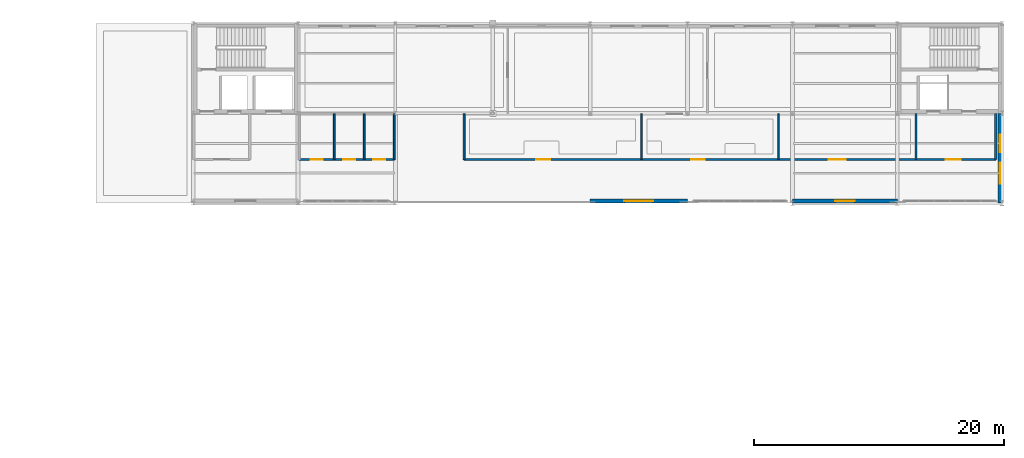
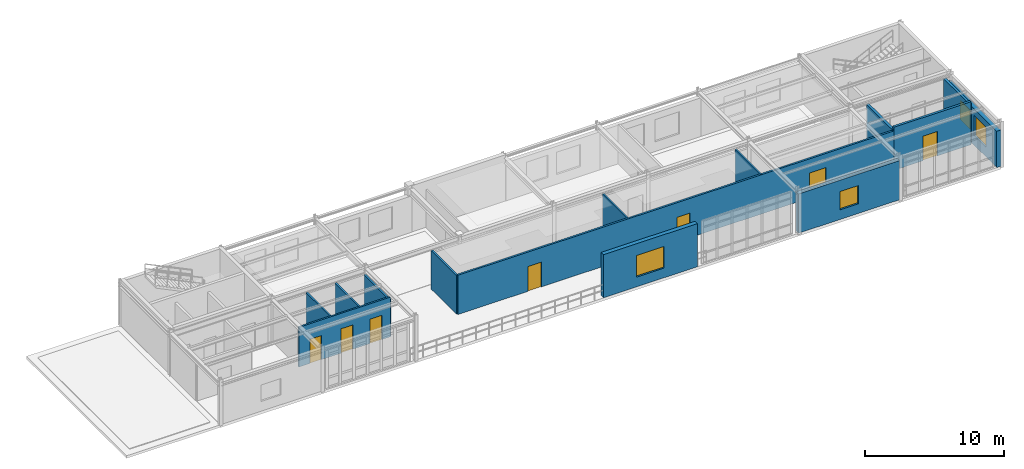
# One storey, part 13 of 20: 14 walls, 7 doors, 4 windows, 11 openings.
"""IFC4 building model written with IfcOpenShell, lengths in metres."""

from ifc_helpers import new_model, si_unit, derived_unit, direction, frame, frame_2d, origin, place, context, subcontext, project, spatial, rectangle, extrude, material, layer, layer_set, type_object, element, fill, save


model = new_model("IFC4")

# Units and contexts
model_context = context("Model", 3, precision=1e-05, world=origin(), true_north=direction((0.0, 1.0)))
body_context = subcontext(model_context, "Body", "Model", "MODEL_VIEW")
ifc_project = project(units=[si_unit("LENGTHUNIT", "METRE"), si_unit("AREAUNIT", "SQUARE_METRE"), si_unit("VOLUMEUNIT", "CUBIC_METRE"), si_unit("PLANEANGLEUNIT", "RADIAN"), si_unit("MASSUNIT", "GRAM", prefix="KILO"), derived_unit("THERMALTRANSMITTANCEUNIT", [(si_unit("POWERUNIT", "WATT"), 1), (si_unit("AREAUNIT", "SQUARE_METRE"), -1), (si_unit("THERMODYNAMICTEMPERATUREUNIT", "KELVIN"), -1)])], contexts=[model_context])

# Site, building, storey
site_placement = place(None, origin())
site = spatial("IfcSite", under=ifc_project, at=site_placement, CompositionType="ELEMENT")
building_placement = place(site_placement, origin())
building = spatial("IfcBuilding", under=site, at=building_placement, Name="Yasenodar Specialist Clinic", CompositionType="ELEMENT")
storey_placement = place(building_placement, frame((0.0, 0.0, 25.35009765625)))
storey = spatial("IfcBuildingStorey", under=building, at=storey_placement, Name="L06", CompositionType="ELEMENT", Elevation=25.35009765625)

# Wall, opening, window
ifc_material_1 = material(Name="Buff Architectural Terracotta Rainscreen", Category="masonry")
ifc_layer_1 = layer(ifc_material_1, 0.340087890625)
ifc_layer_set_1 = layer_set([ifc_layer_1], Name="Buff Architectural Terracotta Rainscreen")
wall_type_1 = type_object("IfcWallType", Name="EW-TERR-340", PredefinedType="SOLIDWALL", material=ifc_layer_set_1)
wall_1_placement = place(storey_placement, frame((113.39990234375, 97.3701171875, 0.0), z_axis=(0.0, 0.0, 1.0), x_axis=(-1.0, 0.0, 0.0)))
wall_1 = element("IfcWall", 1, at=wall_1_placement, inside=storey, type_object=wall_type_1, Name="L06 Exterior Facade Wall 0153", PredefinedType="SOLIDWALL", context=body_context, shape_type="SweptSolid", body=[
    extrude(rectangle(XDim=8.39990234375, YDim=0.340087890625, at=frame_2d((4.199951171875, 0.0))), origin(), (0.0, 0.0, 1.0), 3.447998046875),
])
opening_1_placement = place(wall_1_placement, frame((3.425048828125, 0.0, 0.85009765625)))
opening_1 = element("IfcOpeningElement", 2, at=opening_1_placement, cuts=wall_1, Name="Opening W-16", PredefinedType="OPENING", context=body_context, shape_type="SweptSolid", body=[
    extrude(rectangle(XDim=1.550048828125, YDim=1.60009765625, at=frame_2d((0.77490234375, 0.800048828125))), frame((0.0, 0.18017578125, 0.0), z_axis=(0.0, -1.0, 0.0), x_axis=(1.0, 0.0, 0.0)), (0.0, 0.0, 1.0), 0.360107421875),
])
ifc_material_2 = material(Name="Triple Low-E Argon Glazing in Bronze Aluminium Frame", Category="aluminium")
window_type_1 = type_object("IfcWindowType", Name="WIN-EXT-16", PartitioningType="SINGLE_PANEL", PredefinedType="WINDOW", material=ifc_material_2)
window_1_placement = place(opening_1_placement, origin())
window_1 = element("IfcWindow", 3, at=window_1_placement, inside=storey, type_object=window_type_1, Name="L06 Triple-Glazed Reveal Window 0167", OverallHeight=1.60009765625, OverallWidth=1.550048828125, PartitioningType="SINGLE_PANEL", PredefinedType="WINDOW", context=body_context, shape_type="SweptSolid", body=[
    extrude(rectangle(XDim=1.550048828125, YDim=1.60009765625, at=frame_2d((0.77490234375, 0.800048828125))), frame((0.0, 0.030029296875, 0.0), z_axis=(0.0, -1.0, 0.0), x_axis=(1.0, 0.0, 0.0)), (0.0, 0.0, 1.0), 0.06005859375),
])
fill(opening_1, window_1)

wall_2_placement = place(storey_placement, frame((96.60009765625, 97.3701171875, 0.0), z_axis=(0.0, 0.0, 1.0), x_axis=(-1.0, 0.0, 0.0)))
wall_2 = element("IfcWall", 4, at=wall_2_placement, inside=storey, type_object=wall_type_1, Name="L06 Exterior Facade Wall 0154", PredefinedType="SOLIDWALL", context=body_context, shape_type="SweptSolid", body=[
    extrude(rectangle(XDim=7.800048828125, YDim=0.340087890625, at=frame_2d((3.89990234375, 0.0))), origin(), (0.0, 0.0, 1.0), 3.789794921875),
])
opening_2_placement = place(wall_2_placement, frame((2.75, 0.0, 0.85009765625)))
opening_2 = element("IfcOpeningElement", 5, at=opening_2_placement, cuts=wall_2, Name="Opening W-18", PredefinedType="OPENING", context=body_context, shape_type="SweptSolid", body=[
    extrude(rectangle(XDim=2.300048828125, YDim=1.89990234375, at=frame_2d((1.14990234375, 0.949951171875))), frame((0.0, 0.18017578125, 0.0), z_axis=(0.0, -1.0, 0.0), x_axis=(1.0, 0.0, 0.0)), (0.0, 0.0, 1.0), 0.360107421875),
])
window_type_2 = type_object("IfcWindowType", Name="WIN-EXT-18", PartitioningType="SINGLE_PANEL", PredefinedType="WINDOW", material=ifc_material_2)
window_2_placement = place(opening_2_placement, origin())
window_2 = element("IfcWindow", 6, at=window_2_placement, inside=storey, type_object=window_type_2, Name="L06 Triple-Glazed Reveal Window 0168", OverallHeight=1.89990234375, OverallWidth=2.300048828125, PartitioningType="SINGLE_PANEL", PredefinedType="WINDOW", context=body_context, shape_type="SweptSolid", body=[
    extrude(rectangle(XDim=2.300048828125, YDim=1.89990234375, at=frame_2d((1.14990234375, 0.949951171875))), frame((0.0, 0.030029296875, 0.0), z_axis=(0.0, -1.0, 0.0), x_axis=(1.0, 0.0, 0.0)), (0.0, 0.0, 1.0), 0.06005859375),
])
fill(opening_2, window_2)

# Wall, openings, windows
wall_3_placement = place(storey_placement, frame((121.6298828125, 104.39990234375, 0.0), z_axis=(0.0, 0.0, 1.0), x_axis=(0.0, -1.0, 0.0)))
wall_3 = element("IfcWall", 7, at=wall_3_placement, inside=storey, type_object=wall_type_1, Name="L06 Exterior Facade Wall 0189", PredefinedType="SOLIDWALL", context=body_context, shape_type="SweptSolid", body=[
    extrude(rectangle(XDim=7.199951171875, YDim=0.340087890625, at=frame_2d((3.60009765625, 0.0))), origin(), (0.0, 0.0, 1.0), 3.18798828125),
])
opening_3_placement = place(wall_3_placement, frame((1.699951171875, 0.0, 0.85009765625)))
opening_3 = element("IfcOpeningElement", 8, at=opening_3_placement, cuts=wall_3, Name="Opening W-11", PredefinedType="OPENING", context=body_context, shape_type="SweptSolid", body=[
    extrude(rectangle(XDim=1.39990234375, YDim=1.64990234375, at=frame_2d((0.699951171875, 0.824951171875))), frame((0.0, 0.18017578125, 0.0), z_axis=(0.0, -1.0, 0.0), x_axis=(1.0, 0.0, 0.0)), (0.0, 0.0, 1.0), 0.360107421875),
])
opening_4_placement = place(wall_3_placement, frame((3.949951171875, 0.0, 0.85009765625)))
opening_4 = element("IfcOpeningElement", 9, at=opening_4_placement, cuts=wall_3, Name="Opening W-12", PredefinedType="OPENING", context=body_context, shape_type="SweptSolid", body=[
    extrude(rectangle(XDim=1.699951171875, YDim=1.75, at=frame_2d((0.85009765625, 0.875))), frame((0.0, 0.18017578125, 0.0), z_axis=(0.0, -1.0, 0.0), x_axis=(1.0, 0.0, 0.0)), (0.0, 0.0, 1.0), 0.360107421875),
])
window_type_3 = type_object("IfcWindowType", Name="WIN-EXT-11", PartitioningType="SINGLE_PANEL", PredefinedType="WINDOW", material=ifc_material_2)
window_3_placement = place(opening_3_placement, origin())
window_3 = element("IfcWindow", 10, at=window_3_placement, inside=storey, type_object=window_type_3, Name="L06 Triple-Glazed Reveal Window 0224", OverallHeight=1.64990234375, OverallWidth=1.39990234375, PartitioningType="SINGLE_PANEL", PredefinedType="WINDOW", context=body_context, shape_type="SweptSolid", body=[
    extrude(rectangle(XDim=1.39990234375, YDim=1.64990234375, at=frame_2d((0.699951171875, 0.824951171875))), frame((0.0, 0.030029296875, 0.0), z_axis=(0.0, -1.0, 0.0), x_axis=(1.0, 0.0, 0.0)), (0.0, 0.0, 1.0), 0.06005859375),
])
fill(opening_3, window_3)
window_type_4 = type_object("IfcWindowType", Name="WIN-EXT-12", PartitioningType="SINGLE_PANEL", PredefinedType="WINDOW", material=ifc_material_2)
window_4_placement = place(opening_4_placement, origin())
window_4 = element("IfcWindow", 11, at=window_4_placement, inside=storey, type_object=window_type_4, Name="L06 Triple-Glazed Reveal Window 0225", OverallHeight=1.75, OverallWidth=1.699951171875, PartitioningType="SINGLE_PANEL", PredefinedType="WINDOW", context=body_context, shape_type="SweptSolid", body=[
    extrude(rectangle(XDim=1.699951171875, YDim=1.75, at=frame_2d((0.85009765625, 0.875))), frame((0.0, 0.030029296875, 0.0), z_axis=(0.0, -1.0, 0.0), x_axis=(1.0, 0.0, 0.0)), (0.0, 0.0, 1.0), 0.06005859375),
])
fill(opening_4, window_4)

# Wall, openings, doors
ifc_material_3 = material(Name="Acoustic Double-Gypsum Consulting Partition")
ifc_layer_2 = layer(ifc_material_3, 0.159912109375)
ifc_layer_set_2 = layer_set([ifc_layer_2], Name="Acoustic Double-Gypsum Consulting Partition")
wall_type_2 = type_object("IfcWallType", Name="IW-CONS-160", PredefinedType="PARTITIONING", material=ifc_layer_set_2)
wall_4_placement = place(storey_placement, frame((78.699951171875, 100.699951171875, 0.0), z_axis=(0.0, 0.0, 1.0), x_axis=(1.0, 0.0, 0.0)))
wall_4 = element("IfcWall", 12, at=wall_4_placement, inside=storey, type_object=wall_type_2, Name="L06 Wing V5 L06 Corridor North Partition", PredefinedType="PARTITIONING", context=body_context, shape_type="SweptSolid", body=[
    extrude(rectangle(XDim=36.199951171875, YDim=0.159912109375, at=frame_2d((18.10009765625, 0.0))), origin(), (0.0, 0.0, 1.0), 3.447998046875),
])
opening_5_placement = place(wall_4_placement, frame((5.800048828125, 0.0, 0.0)))
opening_5 = element("IfcOpeningElement", 13, at=opening_5_placement, cuts=wall_4, Name="Opening D-05", PredefinedType="OPENING", context=body_context, shape_type="SweptSolid", body=[
    extrude(rectangle(XDim=1.1201171875, YDim=2.179931640625, at=frame_2d((0.56005859375, 1.08984375))), frame((0.0, 0.08984375, 0.0), z_axis=(0.0, -1.0, 0.0), x_axis=(1.0, 0.0, 0.0)), (0.0, 0.0, 1.0), 0.179931640625),
])
opening_6_placement = place(wall_4_placement, frame((18.199951171875, 0.0, 0.0)))
opening_6 = element("IfcOpeningElement", 14, at=opening_6_placement, cuts=wall_4, Name="Opening D-04", PredefinedType="OPENING", context=body_context, shape_type="SweptSolid", body=[
    extrude(rectangle(XDim=1.06005859375, YDim=2.159912109375, at=frame_2d((0.530029296875, 1.080078125))), frame((0.0, 0.08984375, 0.0), z_axis=(0.0, -1.0, 0.0), x_axis=(1.0, 0.0, 0.0)), (0.0, 0.0, 1.0), 0.179931640625),
])
opening_7_placement = place(wall_4_placement, frame((29.199951171875, 0.0, 0.0)))
opening_7 = element("IfcOpeningElement", 15, at=opening_7_placement, cuts=wall_4, Name="Opening D-11", PredefinedType="OPENING", context=body_context, shape_type="SweptSolid", body=[
    extrude(rectangle(XDim=1.360107421875, YDim=2.199951171875, at=frame_2d((0.68017578125, 1.10009765625))), frame((0.0, 0.08984375, 0.0), z_axis=(0.0, -1.0, 0.0), x_axis=(1.0, 0.0, 0.0)), (0.0, 0.0, 1.0), 0.179931640625),
])
ifc_material_4 = material(Name="Powder-Coated Steel and Acoustic Laminate Leaf", Category="steel")
door_type_1 = type_object("IfcDoorType", Name="DR-CLN-106", OperationType="NOTDEFINED", PredefinedType="DOOR", material=ifc_material_4)
door_1_placement = place(opening_6_placement, origin())
door_1 = element("IfcDoor", 16, at=door_1_placement, inside=storey, type_object=door_type_1, Name="L06 On-Call Duty Room Door", OperationType="SINGLE_SWING_RIGHT", OverallHeight=2.159912109375, OverallWidth=1.06005859375, PredefinedType="DOOR", context=body_context, shape_type="SweptSolid", body=[
    extrude(rectangle(XDim=1.06005859375, YDim=2.159912109375, at=frame_2d((0.530029296875, 1.080078125))), frame((0.0, 0.02490234375, 0.0), z_axis=(0.0, -1.0, 0.0), x_axis=(1.0, 0.0, 0.0)), (0.0, 0.0, 1.0), 0.050048828125),
])
fill(opening_6, door_1)
door_type_2 = type_object("IfcDoorType", Name="DR-CLN-112", OperationType="NOTDEFINED", PredefinedType="DOOR", material=ifc_material_4)
door_2_placement = place(opening_5_placement, origin())
door_2 = element("IfcDoor", 17, at=door_2_placement, inside=storey, type_object=door_type_2, Name="L06 Medical Research Reading Room Door", OperationType="SINGLE_SWING_LEFT", OverallHeight=2.179931640625, OverallWidth=1.1201171875, PredefinedType="DOOR", context=body_context, shape_type="SweptSolid", body=[
    extrude(rectangle(XDim=1.1201171875, YDim=2.179931640625, at=frame_2d((0.56005859375, 1.08984375))), frame((0.0, 0.02490234375, 0.0), z_axis=(0.0, -1.0, 0.0), x_axis=(1.0, 0.0, 0.0)), (0.0, 0.0, 1.0), 0.050048828125),
])
fill(opening_5, door_2)
door_type_3 = type_object("IfcDoorType", Name="DR-PLT-136", OperationType="NOTDEFINED", PredefinedType="DOOR", material=ifc_material_4)
door_3_placement = place(opening_7_placement, origin())
door_3 = element("IfcDoor", 18, at=door_3_placement, inside=storey, type_object=door_type_3, Name="L06 Clean Instrument Utility Store Door", OperationType="SINGLE_SWING_LEFT", OverallHeight=2.199951171875, OverallWidth=1.360107421875, PredefinedType="DOOR", context=body_context, shape_type="SweptSolid", body=[
    extrude(rectangle(XDim=1.360107421875, YDim=2.199951171875, at=frame_2d((0.68017578125, 1.10009765625))), frame((0.0, 0.02490234375, 0.0), z_axis=(0.0, -1.0, 0.0), x_axis=(1.0, 0.0, 0.0)), (0.0, 0.0, 1.0), 0.050048828125),
])
fill(opening_7, door_3)

# Wall
wall_5_placement = place(storey_placement, frame((78.699951171875, 100.699951171875, 0.0), z_axis=(0.0, 0.0, 1.0), x_axis=(0.0, 1.0, 0.0)))
element("IfcWall", 19, at=wall_5_placement, inside=storey, type_object=wall_type_2, Name="L06 Wing V5 L06 Cross-Lobby East Partition", PredefinedType="PARTITIONING", context=body_context, shape_type="SweptSolid", body=[
    extrude(rectangle(XDim=3.650146484375, YDim=0.159912109375, at=frame_2d((1.8251953125, 0.0))), origin(), (0.0, 0.0, 1.0), 3.387939453125),
])

# Wall, opening, door
ifc_material_5 = material(Name="Fire-Rated Gypsum and Mineral-Wool Wall")
ifc_layer_3 = layer(ifc_material_5, 0.195068359375)
ifc_layer_set_3 = layer_set([ifc_layer_3], Name="Fire-Rated Gypsum and Mineral-Wool Wall")
wall_type_3 = type_object("IfcWallType", Name="IW-LOBBY-195", PredefinedType="PARTITIONING", material=ifc_layer_set_3)
wall_6_placement = place(storey_placement, frame((114.89990234375, 100.699951171875, 0.0), z_axis=(0.0, 0.0, 1.0), x_axis=(1.0, 0.0, 0.0)))
wall_6 = element("IfcWall", 20, at=wall_6_placement, inside=storey, type_object=wall_type_3, Name="L06 C5 Firefighting Lobby South Wall", PredefinedType="PARTITIONING", context=body_context, shape_type="SweptSolid", body=[
    extrude(rectangle(XDim=6.400146484375, YDim=0.195068359375, at=frame_2d((3.2001953125, 0.0))), origin(), (0.0, 0.0, 1.0), 3.77978515625),
])
opening_8_placement = place(wall_6_placement, frame((2.39990234375, 0.0, 0.0)))
opening_8 = element("IfcOpeningElement", 21, at=opening_8_placement, cuts=wall_6, Name="Opening FD-02", PredefinedType="OPENING", context=body_context, shape_type="SweptSolid", body=[
    extrude(rectangle(XDim=1.199951171875, YDim=2.14990234375, at=frame_2d((0.60009765625, 1.074951171875))), frame((0.0, 0.107421875, 0.0), z_axis=(0.0, -1.0, 0.0), x_axis=(1.0, 0.0, 0.0)), (0.0, 0.0, 1.0), 0.215087890625),
])
ifc_material_6 = material(Name="Fire-Rated Insulated Steel Door", Category="steel")
door_type_4 = type_object("IfcDoorType", Name="DR-FD-120", OperationType="NOTDEFINED", PredefinedType="DOOR", material=ifc_material_6)
door_4_placement = place(opening_8_placement, origin())
door_4 = element("IfcDoor", 22, at=door_4_placement, inside=storey, type_object=door_type_4, Name="L06 C5 Firefighting Lobby Door", OperationType="SINGLE_SWING_RIGHT", OverallHeight=2.14990234375, OverallWidth=1.199951171875, PredefinedType="DOOR", context=body_context, shape_type="SweptSolid", body=[
    extrude(rectangle(XDim=1.199951171875, YDim=2.14990234375, at=frame_2d((0.60009765625, 1.074951171875))), frame((0.0, 0.02490234375, 0.0), z_axis=(0.0, -1.0, 0.0), x_axis=(1.0, 0.0, 0.0)), (0.0, 0.0, 1.0), 0.050048828125),
])
fill(opening_8, door_4)

# Walls
for number, where, z_axis, x_axis, name in (
    (23, (121.300048828125, 100.699951171875, 0.0), (0.0, 0.0, 1.0), (0.0, 1.0, 0.0), "L06 C5 Firefighting Lobby East Wall"),
    (24, (114.89990234375, 100.699951171875, 0.0), (0.0, 0.0, 1.0), (0.0, 1.0, 0.0), "L06 C5 Firefighting Lobby West Wall"),
):
    element("IfcWall", number, at=place(storey_placement, frame(where, z_axis=z_axis, x_axis=x_axis)), inside=storey, type_object=wall_type_3, Name=name, PredefinedType="PARTITIONING", context=body_context, shape_type="SweptSolid", body=[
        extrude(rectangle(XDim=3.699951171875, YDim=0.195068359375, at=frame_2d((1.85009765625, 0.0))), origin(), (0.0, 0.0, 1.0), 3.537841796875),
    ])
ifc_material_7 = material(Name="Clinical Sub-Division Partition")
ifc_layer_4 = layer(ifc_material_7, 0.125)
ifc_layer_set_4 = layer_set([ifc_layer_4], Name="Clinical Sub-Division Partition")
wall_type_4 = type_object("IfcWallType", Name="IW-PART-125", PredefinedType="PARTITIONING", material=ifc_layer_set_4)
wall_7_placement = place(storey_placement, frame((92.89990234375, 100.699951171875, 0.0), z_axis=(0.0, 0.0, 1.0), x_axis=(0.0, 1.0, 0.0)))
element("IfcWall", 25, at=wall_7_placement, inside=storey, type_object=wall_type_4, Name="L06 Medical Research Reading Room Divider", PredefinedType="PARTITIONING", context=body_context, shape_type="SweptSolid", body=[
    extrude(rectangle(XDim=3.650146484375, YDim=0.125, at=frame_2d((1.8251953125, 0.0))), origin(), (0.0, 0.0, 1.0), 3.39794921875),
])
wall_8_placement = place(storey_placement, frame((103.89990234375, 100.699951171875, 0.0), z_axis=(0.0, 0.0, 1.0), x_axis=(0.0, 1.0, 0.0)))
element("IfcWall", 26, at=wall_8_placement, inside=storey, type_object=wall_type_4, Name="L06 On-Call Duty Room Divider", PredefinedType="PARTITIONING", context=body_context, shape_type="SweptSolid", body=[
    extrude(rectangle(XDim=3.650146484375, YDim=0.125, at=frame_2d((1.8251953125, 0.0))), origin(), (0.0, 0.0, 1.0), 3.4580078125),
])
ifc_material_8 = material(Name="Moisture-Resistant Sanitary Partition")
ifc_layer_5 = layer(ifc_material_8, 0.139892578125)
ifc_layer_set_5 = layer_set([ifc_layer_5], Name="Moisture-Resistant Sanitary Partition")
wall_type_5 = type_object("IfcWallType", Name="IW-WET-140", PredefinedType="PARTITIONING", material=ifc_layer_set_5)
wall_9_placement = place(storey_placement, frame((73.10009765625, 100.699951171875, 0.0), z_axis=(0.0, 0.0, 1.0), x_axis=(0.0, 1.0, 0.0)))
element("IfcWall", 27, at=wall_9_placement, inside=storey, type_object=wall_type_5, Name="L06 North Sanitary Block East Wall", PredefinedType="PARTITIONING", context=body_context, shape_type="SweptSolid", body=[
    extrude(rectangle(XDim=3.650146484375, YDim=0.139892578125, at=frame_2d((1.8251953125, 0.0))), origin(), (0.0, 0.0, 1.0), 3.23779296875),
])
for number, where, z_axis, x_axis, name in (
    (28, (68.300048828125, 100.699951171875, 0.0), (0.0, 0.0, 1.0), (0.0, 1.0, 0.0), "L06 North Accessible WC Divider Wall"),
    (29, (70.699951171875, 100.699951171875, 0.0), (0.0, 0.0, 1.0), (0.0, 1.0, 0.0), "L06 North Patient and Staff WC Divider Wall"),
):
    element("IfcWall", number, at=place(storey_placement, frame(where, z_axis=z_axis, x_axis=x_axis)), inside=storey, type_object=wall_type_5, Name=name, PredefinedType="PARTITIONING", context=body_context, shape_type="SweptSolid", body=[
        extrude(rectangle(XDim=3.650146484375, YDim=0.139892578125, at=frame_2d((1.8251953125, 0.0))), origin(), (0.0, 0.0, 1.0), 3.337890625),
    ])

# Wall, openings, doors
wall_10_placement = place(storey_placement, frame((65.5, 100.699951171875, 0.0), z_axis=(0.0, 0.0, 1.0), x_axis=(1.0, 0.0, 0.0)))
wall_10 = element("IfcWall", 30, at=wall_10_placement, inside=storey, type_object=wall_type_5, Name="L06 North Sanitary Block Corridor Wall", PredefinedType="PARTITIONING", context=body_context, shape_type="SweptSolid", body=[
    extrude(rectangle(XDim=7.60009765625, YDim=0.139892578125, at=frame_2d((3.800048828125, 0.0))), origin(), (0.0, 0.0, 1.0), 3.48779296875),
])
opening_9_placement = place(wall_10_placement, frame((0.919921875, 0.0, 0.0)))
opening_9 = element("IfcOpeningElement", 31, at=opening_9_placement, cuts=wall_10, Name="Opening D-01", PredefinedType="OPENING", context=body_context, shape_type="SweptSolid", body=[
    extrude(rectangle(XDim=0.949951171875, YDim=2.1201171875, at=frame_2d((0.47509765625, 1.06005859375))), frame((0.0, 0.080078125, 0.0), z_axis=(0.0, -1.0, 0.0), x_axis=(1.0, 0.0, 0.0)), (0.0, 0.0, 1.0), 0.159912109375),
])
opening_10_placement = place(wall_10_placement, frame((3.510009765625, 0.0, 0.0)))
opening_10 = element("IfcOpeningElement", 32, at=opening_10_placement, cuts=wall_10, Name="Opening D-02", PredefinedType="OPENING", context=body_context, shape_type="SweptSolid", body=[
    extrude(rectangle(XDim=0.97998046875, YDim=2.139892578125, at=frame_2d((0.489990234375, 1.06982421875))), frame((0.0, 0.080078125, 0.0), z_axis=(0.0, -1.0, 0.0), x_axis=(1.0, 0.0, 0.0)), (0.0, 0.0, 1.0), 0.159912109375),
])
opening_11_placement = place(wall_10_placement, frame((5.909912109375, 0.0, 0.0)))
opening_11 = element("IfcOpeningElement", 33, at=opening_11_placement, cuts=wall_10, Name="Opening D-02", PredefinedType="OPENING", context=body_context, shape_type="SweptSolid", body=[
    extrude(rectangle(XDim=0.97998046875, YDim=2.139892578125, at=frame_2d((0.489990234375, 1.06982421875))), frame((0.0, 0.080078125, 0.0), z_axis=(0.0, -1.0, 0.0), x_axis=(1.0, 0.0, 0.0)), (0.0, 0.0, 1.0), 0.159912109375),
])
door_type_5 = type_object("IfcDoorType", Name="DR-CLN-095", OperationType="NOTDEFINED", PredefinedType="DOOR", material=ifc_material_4)
door_5_placement = place(opening_9_placement, origin())
door_5 = element("IfcDoor", 34, at=door_5_placement, inside=storey, type_object=door_type_5, Name="L06 North Accessible WC Door", OperationType="SINGLE_SWING_RIGHT", OverallHeight=2.1201171875, OverallWidth=0.949951171875, PredefinedType="DOOR", context=body_context, shape_type="SweptSolid", body=[
    extrude(rectangle(XDim=0.949951171875, YDim=2.1201171875, at=frame_2d((0.47509765625, 1.06005859375))), frame((0.0, 0.02490234375, 0.0), z_axis=(0.0, -1.0, 0.0), x_axis=(1.0, 0.0, 0.0)), (0.0, 0.0, 1.0), 0.050048828125),
])
fill(opening_9, door_5)
door_type_6 = type_object("IfcDoorType", Name="DR-CLN-098", OperationType="NOTDEFINED", PredefinedType="DOOR", material=ifc_material_4)
door_6_placement = place(opening_10_placement, origin())
door_6 = element("IfcDoor", 35, at=door_6_placement, inside=storey, type_object=door_type_6, Name="L06 North Patient Washroom WC Door", OperationType="SINGLE_SWING_LEFT", OverallHeight=2.139892578125, OverallWidth=0.97998046875, PredefinedType="DOOR", context=body_context, shape_type="SweptSolid", body=[
    extrude(rectangle(XDim=0.97998046875, YDim=2.139892578125, at=frame_2d((0.489990234375, 1.06982421875))), frame((0.0, 0.02490234375, 0.0), z_axis=(0.0, -1.0, 0.0), x_axis=(1.0, 0.0, 0.0)), (0.0, 0.0, 1.0), 0.050048828125),
])
fill(opening_10, door_6)
door_7_placement = place(opening_11_placement, origin())
door_7 = element("IfcDoor", 36, at=door_7_placement, inside=storey, type_object=door_type_6, Name="L06 North Staff Washroom WC Door", OperationType="SINGLE_SWING_RIGHT", OverallHeight=2.139892578125, OverallWidth=0.97998046875, PredefinedType="DOOR", context=body_context, shape_type="SweptSolid", body=[
    extrude(rectangle(XDim=0.97998046875, YDim=2.139892578125, at=frame_2d((0.489990234375, 1.06982421875))), frame((0.0, 0.02490234375, 0.0), z_axis=(0.0, -1.0, 0.0), x_axis=(1.0, 0.0, 0.0)), (0.0, 0.0, 1.0), 0.050048828125),
])
fill(opening_11, door_7)

save(model, "model.ifc")
